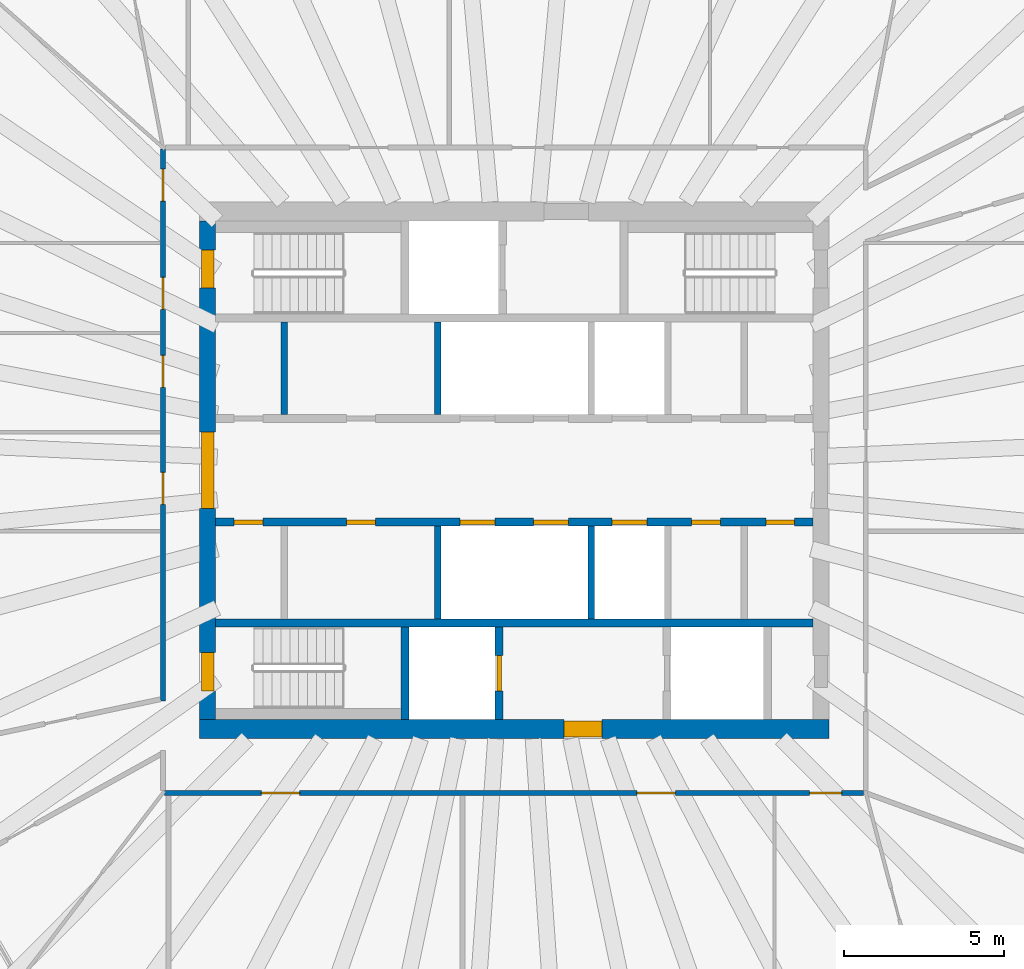
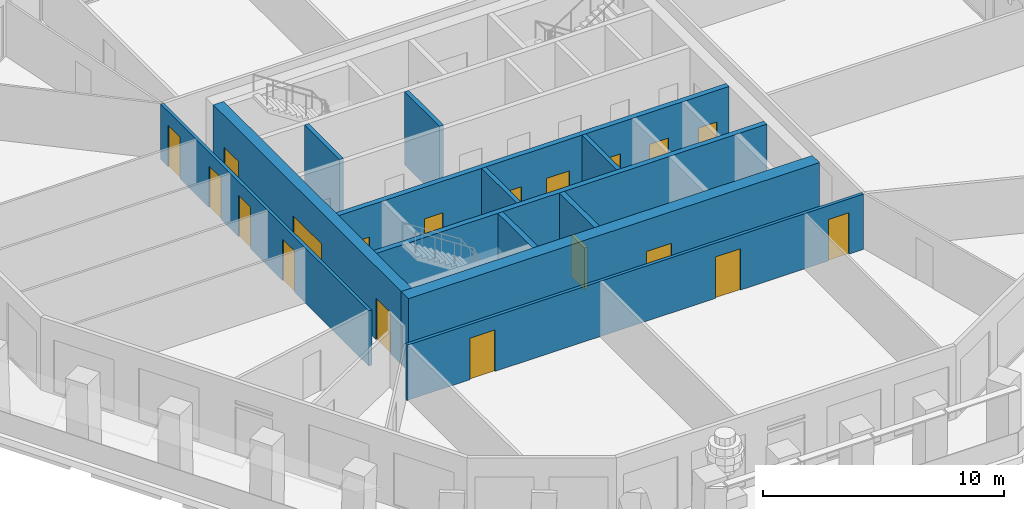
# One storey, part 4 of 12: 19 doors, 12 walls, 19 openings.
"""IFC4 building model written with IfcOpenShell, lengths in metres."""

import ifcopenshell
import ifcopenshell.guid

model = None  # the IFC model being written
_history = None  # IfcOwnerHistory: only IFC2X3 demands one
_inside = {}  # id of a spatial element -> (the spatial element, [elements in it])
_under = {}  # id of a project, library or spatial element -> (it, [spatial elements below it])
_declared = {}  # id of a project -> (the project, [libraries it declares])
_typed = {}  # id of a type object -> (the type object, [elements of that type])
_made_of = {}  # id of a material, layer set ... -> (it, [elements and type objects made of it])


def new_model(schema):
    """Start an empty IFC model of exactly this schema.

    Asked for "IFC4X3", IfcOpenShell would pick the latest addendum, in which some entities
    have other attributes; the version numbers below select the first issue.
    IFC2X3 requires an IfcOwnerHistory on every rooted entity: one is made here for all.
    """
    global model, _history
    if schema == "IFC4X3":
        model = ifcopenshell.file(schema_version=(4, 3, 0, 0))
    else:
        model = ifcopenshell.file(schema=schema)
    _inside.clear()
    _under.clear()
    _declared.clear()
    _typed.clear()
    _made_of.clear()
    _history = None
    if model.schema == "IFC2X3":
        org = make("IfcOrganization", Name="unknown")
        user = make(
            "IfcPersonAndOrganization",
            ThePerson=make("IfcPerson", FamilyName="unknown"),
            TheOrganization=org,
        )
        app = make(
            "IfcApplication",
            ApplicationDeveloper=org,
            Version="unknown",
            ApplicationFullName="unknown",
            ApplicationIdentifier="unknown",
        )
        _history = make(
            "IfcOwnerHistory",
            OwningUser=user,
            OwningApplication=app,
            ChangeAction="ADDED",
            CreationDate=0,
        )
    return model


def make(cls, **values):
    """One entity of the class cls with the attributes given. An attribute that is None is left unset."""
    return model.create_entity(
        cls, **{name: value for name, value in values.items() if value is not None}
    )


def rooted(cls, **values):
    """An entity with a GlobalId (a new one), such as an element, a storey or a relation."""
    return make(cls, GlobalId=ifcopenshell.guid.new(), OwnerHistory=_history, **values)


def si_unit(unit_type, name, prefix=None):
    """IfcSIUnit, for example si_unit("LENGTHUNIT", "METRE", prefix="MILLI")."""
    return make("IfcSIUnit", UnitType=unit_type, Prefix=prefix, Name=name)


def assignment(units):
    """IfcUnitAssignment: the units of a project."""
    return None if units is None else make("IfcUnitAssignment", Units=units)


def point(xyz):
    """IfcCartesianPoint."""
    return None if xyz is None else make("IfcCartesianPoint", Coordinates=xyz)


def direction(xyz):
    """IfcDirection."""
    return None if xyz is None else make("IfcDirection", DirectionRatios=xyz)


def frame(location, z_axis=None, x_axis=None):
    """IfcAxis2Placement3D, a coordinate frame: its origin and axes. An axis left out is left unset."""
    return make(
        "IfcAxis2Placement3D",
        Location=point(location),
        Axis=direction(z_axis),
        RefDirection=direction(x_axis),
    )


def frame_2d(location, x_axis=None):
    """IfcAxis2Placement2D, a coordinate frame in the plane: its origin and x axis."""
    return make(
        "IfcAxis2Placement2D", Location=point(location), RefDirection=direction(x_axis)
    )


def origin():
    """The frame at (0, 0, 0) with its axes left unset."""
    return frame((0.0, 0.0, 0.0))


def place(relative_to, where):
    """IfcLocalPlacement: puts the frame where relative to a parent placement (None: the world)."""
    return make(
        "IfcLocalPlacement", PlacementRelTo=relative_to, RelativePlacement=where
    )


def context(
    kind, dimensions, precision=None, world=None, true_north=None, identifier=None
):
    """IfcGeometricRepresentationContext, for example the 3D "Model" context."""
    return make(
        "IfcGeometricRepresentationContext",
        ContextIdentifier=identifier,
        ContextType=kind,
        CoordinateSpaceDimension=dimensions,
        Precision=precision,
        WorldCoordinateSystem=world,
        TrueNorth=true_north,
    )


def subcontext(parent, identifier, kind, view, scale=None):
    """IfcGeometricRepresentationSubContext, for example "Body" below "Model"."""
    return make(
        "IfcGeometricRepresentationSubContext",
        ContextIdentifier=identifier,
        ContextType=kind,
        ParentContext=parent,
        TargetScale=scale,
        TargetView=view,
    )


def project(units=None, contexts=None):
    """IfcProject with its units and contexts."""
    return rooted(
        "IfcProject",
        Name="project",
        RepresentationContexts=contexts,
        UnitsInContext=assignment(units),
    )


def spatial(cls, under=None, at=None, **own):
    """A site, building, storey or space (cls), placed at a placement, below another one or the project."""
    s = rooted(cls, ObjectPlacement=at, **own)
    if under is not None:
        _under.setdefault(under.id(), (under, []))[1].append(s)
    return s


def profile(cls, at=None, kind="AREA", **sizes):
    """A parametric profile (cls). Its sizes go by their IFC names, for example OverallWidth=200.0."""
    return make(cls, ProfileType=kind, Position=at, **sizes)


def rectangle(**sizes):
    """IfcRectangleProfileDef."""
    return profile("IfcRectangleProfileDef", **sizes)


def extrude(swept, where, along, depth):
    """IfcExtrudedAreaSolid: the profile swept, set in the frame where, extruded along a direction by depth."""
    return make(
        "IfcExtrudedAreaSolid",
        SweptArea=swept,
        Position=where,
        ExtrudedDirection=direction(along),
        Depth=depth,
    )


def shape(context_of_items, identifier, shape_type, items):
    """IfcShapeRepresentation: the items that make up one representation, for example the "Body"."""
    return make(
        "IfcShapeRepresentation",
        ContextOfItems=context_of_items,
        RepresentationIdentifier=identifier,
        RepresentationType=shape_type,
        Items=items,
    )


def material(Name=None, Category=None):
    """IfcMaterial."""
    return make("IfcMaterial", Name=Name, Category=Category)


def layer(
    of_material, thickness, ventilated=None, Name=None, Category=None, Priority=None
):
    """IfcMaterialLayer: one layer of a wall or slab, of a material (None: an air gap)."""
    return make(
        "IfcMaterialLayer",
        Material=of_material,
        LayerThickness=thickness,
        IsVentilated=ventilated,
        Name=Name,
        Category=Category,
        Priority=Priority,
    )


def layer_set(layers, Name=None):
    """IfcMaterialLayerSet."""
    return make("IfcMaterialLayerSet", MaterialLayers=layers, LayerSetName=Name)


def made_of(thing, what):
    """Note that an element or type object is made of a material, layer set ...; save() writes the relation."""
    if what is not None:
        _made_of.setdefault(what.id(), (what, []))[1].append(thing)
    return thing


def type_object(cls, material=None, **own):
    """A type object (cls), such as IfcWallType, which elements share."""
    return made_of(rooted(cls, **own), material)


def element(
    cls,
    number,
    at=None,
    inside=None,
    cuts=None,
    type_object=None,
    material=None,
    context=None,
    identifier="Body",
    shape_type=None,
    held_by="IfcProductDefinitionShape",
    body=None,
    shapes=None,
    **own,
):
    """One element of the class cls, such as IfcWall. Its Tag is "e" and its number.

    at: its placement. inside: the storey or other place that contains it. cuts: it is an
    opening in that element (IfcRelVoidsElement). A single representation is given by context,
    identifier, shape_type and body (its items); several are given by shapes. held_by: the class
    of the entity that holds the representations. save() writes the other relations.
    """
    e = rooted(cls, Tag="e%d" % number, ObjectPlacement=at, **own)
    if body is not None:
        shapes = [shape(context, identifier, shape_type, body)]
    if shapes is not None:
        e.Representation = make(held_by, Representations=shapes)
    if inside is not None:
        _inside.setdefault(inside.id(), (inside, []))[1].append(e)
    if cuts is not None:
        rooted(
            "IfcRelVoidsElement", RelatingBuildingElement=cuts, RelatedOpeningElement=e
        )
    if type_object is not None:
        _typed.setdefault(type_object.id(), (type_object, []))[1].append(e)
    return made_of(e, material)


def fill(opening, filler):
    """IfcRelFillsElement: the door or window that sits in an opening."""
    return rooted(
        "IfcRelFillsElement",
        RelatingOpeningElement=opening,
        RelatedBuildingElement=filler,
    )


def aggregate(whole, parts):
    """IfcRelAggregates: a whole, such as a stair, and the parts it consists of."""
    return rooted("IfcRelAggregates", RelatingObject=whole, RelatedObjects=parts)


def save(model, path):
    """Write the relations noted so far, then the file.

    IfcRelAggregates (storeys below a building ...), IfcRelContainedInSpatialStructure (elements
    in a storey), IfcRelDefinesByType, IfcRelAssociatesMaterial and IfcRelDeclares: one each for
    every whole, place, type object, material and project.
    """
    for whole, parts in _under.values():
        aggregate(whole, parts)
    for where, things in _inside.values():
        rooted(
            "IfcRelContainedInSpatialStructure",
            RelatedElements=things,
            RelatingStructure=where,
        )
    for kind, things in _typed.values():
        rooted("IfcRelDefinesByType", RelatedObjects=things, RelatingType=kind)
    for what, things in _made_of.values():
        rooted("IfcRelAssociatesMaterial", RelatedObjects=things, RelatingMaterial=what)
    for by, libraries in _declared.values():
        rooted("IfcRelDeclares", RelatingContext=by, RelatedDefinitions=libraries)
    model.write(path)


model = new_model("IFC4")

# Units and contexts
model_context = context("Model", 3, precision=1e-05, world=origin(), true_north=direction((0.0, 1.0)))
body_context = subcontext(model_context, "Body", "Model", "MODEL_VIEW")
ifc_project = project(units=[si_unit("LENGTHUNIT", "METRE"), si_unit("AREAUNIT", "SQUARE_METRE"), si_unit("VOLUMEUNIT", "CUBIC_METRE"), si_unit("PLANEANGLEUNIT", "RADIAN"), si_unit("MASSUNIT", "GRAM", prefix="KILO")], contexts=[model_context])

# Site, building, storey
site_placement = place(None, origin())
site = spatial("IfcSite", under=ifc_project, at=site_placement, CompositionType="ELEMENT")
building_placement = place(site_placement, origin())
building = spatial("IfcBuilding", under=site, at=building_placement, Name="Frailejon Research Tower", CompositionType="ELEMENT")
storey_placement = place(building_placement, frame((0.0, 0.0, 249.39990234375)))
storey = spatial("IfcBuildingStorey", under=building, at=storey_placement, Name="L54", CompositionType="ELEMENT", Elevation=249.39990234375)

# Wall, openings, doors
ifc_material_1 = material(Name="Concrete C60/75", Category="concrete")
ifc_layer_1 = layer(ifc_material_1, 0.5)
ifc_layer_set_1 = layer_set([ifc_layer_1], Name="Core shear wall 500 C60/75")
wall_type_1 = type_object("IfcWallType", Name="Core shear wall 500 C60/75", PredefinedType="SHEAR", material=ifc_layer_set_1)
wall_1_placement = place(storey_placement, frame((-9.60009765625, -7.800048828125, 0.0), z_axis=(0.0, 0.0, 1.0), x_axis=(0.0, 1.0, 0.0)))
wall_1 = element("IfcWall", 1, at=wall_1_placement, inside=storey, type_object=wall_type_1, Name="Core shear wall", PredefinedType="SHEAR", context=body_context, shape_type="SweptSolid", body=[
    extrude(rectangle(XDim=15.60009765625, YDim=0.5, at=frame_2d((7.800048828125, 0.0))), origin(), (0.0, 0.0, 1.0), 3.7001953125),
])
opening_1_placement = place(wall_1_placement, frame((6.60009765625, 0.0, 0.0)))
opening_1 = element("IfcOpeningElement", 2, at=opening_1_placement, cuts=wall_1, Name="Opening D2", PredefinedType="OPENING", context=body_context, shape_type="SweptSolid", body=[
    extrude(rectangle(XDim=2.39990234375, YDim=2.10009765625, at=frame_2d((1.199951171875, 1.050048828125))), frame((0.0, 0.260009765625, 0.0), z_axis=(0.0, -1.0, 0.0), x_axis=(1.0, 0.0, 0.0)), (0.0, 0.0, 1.0), 0.52001953125),
])
opening_2_placement = place(wall_1_placement, frame((13.5, 0.0, 0.0)))
opening_2 = element("IfcOpeningElement", 3, at=opening_2_placement, cuts=wall_1, Name="Opening D1", PredefinedType="OPENING", context=body_context, shape_type="SweptSolid", body=[
    extrude(rectangle(XDim=1.199951171875, YDim=2.10009765625, at=frame_2d((0.60009765625, 1.050048828125))), frame((0.0, 0.260009765625, 0.0), z_axis=(0.0, -1.0, 0.0), x_axis=(1.0, 0.0, 0.0)), (0.0, 0.0, 1.0), 0.52001953125),
])
opening_3_placement = place(wall_1_placement, frame((0.89990234375, 0.0, 0.0)))
opening_3 = element("IfcOpeningElement", 4, at=opening_3_placement, cuts=wall_1, Name="Opening D1", PredefinedType="OPENING", context=body_context, shape_type="SweptSolid", body=[
    extrude(rectangle(XDim=1.199951171875, YDim=2.10009765625, at=frame_2d((0.60009765625, 1.050048828125))), frame((0.0, 0.260009765625, 0.0), z_axis=(0.0, -1.0, 0.0), x_axis=(1.0, 0.0, 0.0)), (0.0, 0.0, 1.0), 0.52001953125),
])
ifc_material_2 = material(Name="Steel", Category="steel")
door_type_1 = type_object("IfcDoorType", Name="Lobby double door", OperationType="DOUBLE_DOOR_SINGLE_SWING", PredefinedType="DOOR", material=ifc_material_2)
door_1_placement = place(opening_1_placement, origin())
door_1 = element("IfcDoor", 5, at=door_1_placement, inside=storey, type_object=door_type_1, Name="Lobby door", OperationType="DOUBLE_DOOR_SINGLE_SWING", OverallHeight=2.10009765625, OverallWidth=2.39990234375, PredefinedType="DOOR", context=body_context, shape_type="SweptSolid", body=[
    extrude(rectangle(XDim=2.39990234375, YDim=2.10009765625, at=frame_2d((1.199951171875, 1.050048828125))), frame((0.0, 0.199951171875, 0.0), z_axis=(0.0, -1.0, 0.0), x_axis=(1.0, 0.0, 0.0)), (0.0, 0.0, 1.0), 0.39990234375),
])
fill(opening_1, door_1)
ifc_material_3 = material(Name="Steel", Category="steel")
door_type_2 = type_object("IfcDoorType", Name="Stair door", OperationType="SINGLE_SWING_LEFT", PredefinedType="DOOR", material=ifc_material_3)
door_2_placement = place(opening_2_placement, origin())
door_2 = element("IfcDoor", 6, at=door_2_placement, inside=storey, type_object=door_type_2, Name="Stair door ST1", OperationType="SINGLE_SWING_RIGHT", OverallHeight=2.10009765625, OverallWidth=1.199951171875, PredefinedType="DOOR", context=body_context, shape_type="SweptSolid", body=[
    extrude(rectangle(XDim=1.199951171875, YDim=2.10009765625, at=frame_2d((0.60009765625, 1.050048828125))), frame((0.0, 0.199951171875, 0.0), z_axis=(0.0, -1.0, 0.0), x_axis=(1.0, 0.0, 0.0)), (0.0, 0.0, 1.0), 0.39990234375),
])
fill(opening_2, door_2)
door_3_placement = place(opening_3_placement, origin())
door_3 = element("IfcDoor", 7, at=door_3_placement, inside=storey, type_object=door_type_2, Name="Stair door ST2", OperationType="SINGLE_SWING_LEFT", OverallHeight=2.10009765625, OverallWidth=1.199951171875, PredefinedType="DOOR", context=body_context, shape_type="SweptSolid", body=[
    extrude(rectangle(XDim=1.199951171875, YDim=2.10009765625, at=frame_2d((0.60009765625, 1.050048828125))), frame((0.0, 0.199951171875, 0.0), z_axis=(0.0, -1.0, 0.0), x_axis=(1.0, 0.0, 0.0)), (0.0, 0.0, 1.0), 0.39990234375),
])
fill(opening_3, door_3)

# Wall, opening, door
ifc_material_4 = material(Name="Concrete C60/75", Category="concrete")
ifc_layer_2 = layer(ifc_material_4, 0.60009765625)
ifc_layer_set_2 = layer_set([ifc_layer_2], Name="Core shear wall 600 C60/75")
wall_type_2 = type_object("IfcWallType", Name="Core shear wall 600 C60/75", PredefinedType="SHEAR", material=ifc_layer_set_2)
wall_2_placement = place(storey_placement, frame((-9.85009765625, -8.10009765625, 0.0), z_axis=(0.0, 0.0, 1.0), x_axis=(1.0, 0.0, 0.0)))
wall_2 = element("IfcWall", 8, at=wall_2_placement, inside=storey, type_object=wall_type_2, Name="Core shear wall", PredefinedType="SHEAR", context=body_context, shape_type="SweptSolid", body=[
    extrude(rectangle(XDim=19.7001953125, YDim=0.60009765625, at=frame_2d((9.85009765625, 0.0))), origin(), (0.0, 0.0, 1.0), 3.7001953125),
])
opening_4_placement = place(wall_2_placement, frame((11.39990234375, 0.0, 0.0)))
opening_4 = element("IfcOpeningElement", 9, at=opening_4_placement, cuts=wall_2, Name="Opening D3", PredefinedType="OPENING", context=body_context, shape_type="SweptSolid", body=[
    extrude(rectangle(XDim=1.199951171875, YDim=2.10009765625, at=frame_2d((0.60009765625, 1.050048828125))), frame((0.0, 0.31005859375, 0.0), z_axis=(0.0, -1.0, 0.0), x_axis=(1.0, 0.0, 0.0)), (0.0, 0.0, 1.0), 0.6201171875),
])
ifc_material_5 = material(Name="Steel", Category="steel")
door_type_3 = type_object("IfcDoorType", Name="Firefighting lobby door", OperationType="SINGLE_SWING_LEFT", PredefinedType="DOOR", material=ifc_material_5)
door_4_placement = place(opening_4_placement, origin())
door_4 = element("IfcDoor", 10, at=door_4_placement, inside=storey, type_object=door_type_3, Name="Firefighting lobby door", OperationType="SINGLE_SWING_LEFT", OverallHeight=2.10009765625, OverallWidth=1.199951171875, PredefinedType="DOOR", context=body_context, shape_type="SweptSolid", body=[
    extrude(rectangle(XDim=1.199951171875, YDim=2.10009765625, at=frame_2d((0.60009765625, 1.050048828125))), frame((0.0, 0.25, 0.0), z_axis=(0.0, -1.0, 0.0), x_axis=(1.0, 0.0, 0.0)), (0.0, 0.0, 1.0), 0.5),
])
fill(opening_4, door_4)

# Wall, openings, doors
ifc_material_6 = material(Name="Gypsum board and masonry partition", Category="masonry")
ifc_layer_3 = layer(ifc_material_6, 0.14990234375)
ifc_layer_set_3 = layer_set([ifc_layer_3], Name="Corridor wall EI 60, gypsum on steel studs 150")
wall_type_3 = type_object("IfcWallType", Name="Corridor wall EI 60, gypsum on steel studs 150", PredefinedType="PARTITIONING", material=ifc_layer_set_3)
wall_3_placement = place(storey_placement, frame((-11.0, -7.22509765625, 0.0), z_axis=(0.0, 0.0, 1.0), x_axis=(0.0, 1.0, 0.0)))
wall_3 = element("IfcWall", 11, at=wall_3_placement, inside=storey, type_object=wall_type_3, Name="T:IW:L54:009", PredefinedType="PARTITIONING", context=body_context, shape_type="SweptSolid", body=[
    extrude(rectangle(XDim=17.275146484375, YDim=0.14990234375, at=frame_2d((8.6376953125, 0.0))), origin(), (0.0, 0.0, 1.0), 2.800048828125),
])
opening_5_placement = place(wall_3_placement, frame((15.654296875, 0.0, 0.0)))
opening_5 = element("IfcOpeningElement", 12, at=opening_5_placement, cuts=wall_3, Name="Opening D2059", PredefinedType="OPENING", context=body_context, shape_type="SweptSolid", body=[
    extrude(rectangle(XDim=1.0, YDim=2.10009765625, at=frame_2d((0.5, 1.050048828125))), frame((0.0, 0.0849609375, 0.0), z_axis=(0.0, -1.0, 0.0), x_axis=(1.0, 0.0, 0.0)), (0.0, 0.0, 1.0), 0.169921875),
])
opening_6_placement = place(wall_3_placement, frame((12.264404296875, 0.0, 0.0)))
opening_6 = element("IfcOpeningElement", 13, at=opening_6_placement, cuts=wall_3, Name="Opening D2060", PredefinedType="OPENING", context=body_context, shape_type="SweptSolid", body=[
    extrude(rectangle(XDim=1.0, YDim=2.10009765625, at=frame_2d((0.5, 1.050048828125))), frame((0.0, 0.0849609375, 0.0), z_axis=(0.0, -1.0, 0.0), x_axis=(1.0, 0.0, 0.0)), (0.0, 0.0, 1.0), 0.169921875),
])
opening_7_placement = place(wall_3_placement, frame((9.821533203125, 0.0, 0.0)))
opening_7 = element("IfcOpeningElement", 14, at=opening_7_placement, cuts=wall_3, Name="Opening D2061", PredefinedType="OPENING", context=body_context, shape_type="SweptSolid", body=[
    extrude(rectangle(XDim=1.0, YDim=2.10009765625, at=frame_2d((0.5, 1.050048828125))), frame((0.0, 0.0849609375, 0.0), z_axis=(0.0, -1.0, 0.0), x_axis=(1.0, 0.0, 0.0)), (0.0, 0.0, 1.0), 0.169921875),
])
opening_8_placement = place(wall_3_placement, frame((6.156982421875, 0.0, 0.0)))
opening_8 = element("IfcOpeningElement", 15, at=opening_8_placement, cuts=wall_3, Name="Opening D2062", PredefinedType="OPENING", context=body_context, shape_type="SweptSolid", body=[
    extrude(rectangle(XDim=1.0, YDim=2.10009765625, at=frame_2d((0.5, 1.050048828125))), frame((0.0, 0.0849609375, 0.0), z_axis=(0.0, -1.0, 0.0), x_axis=(1.0, 0.0, 0.0)), (0.0, 0.0, 1.0), 0.169921875),
])
ifc_material_7 = material(Name="Timber door leaf", Category="wood")
door_type_4 = type_object("IfcDoorType", Name="Door single leaf, timber, steel frame 1000", OperationType="NOTDEFINED", PredefinedType="DOOR", material=ifc_material_7)
door_5_placement = place(opening_5_placement, origin())
door_5 = element("IfcDoor", 16, at=door_5_placement, inside=storey, type_object=door_type_4, Name="D2059", OperationType="SINGLE_SWING_RIGHT", OverallHeight=2.10009765625, OverallWidth=1.0, PredefinedType="DOOR", context=body_context, shape_type="SweptSolid", body=[
    extrude(rectangle(XDim=1.0, YDim=2.10009765625, at=frame_2d((0.5, 1.050048828125))), frame((0.0, 0.02490234375, 0.0), z_axis=(0.0, -1.0, 0.0), x_axis=(1.0, 0.0, 0.0)), (0.0, 0.0, 1.0), 0.050048828125),
])
fill(opening_5, door_5)
door_6_placement = place(opening_6_placement, origin())
door_6 = element("IfcDoor", 17, at=door_6_placement, inside=storey, type_object=door_type_4, Name="D2060", OperationType="SINGLE_SWING_RIGHT", OverallHeight=2.10009765625, OverallWidth=1.0, PredefinedType="DOOR", context=body_context, shape_type="SweptSolid", body=[
    extrude(rectangle(XDim=1.0, YDim=2.10009765625, at=frame_2d((0.5, 1.050048828125))), frame((0.0, 0.02490234375, 0.0), z_axis=(0.0, -1.0, 0.0), x_axis=(1.0, 0.0, 0.0)), (0.0, 0.0, 1.0), 0.050048828125),
])
fill(opening_6, door_6)
door_7_placement = place(opening_7_placement, origin())
door_7 = element("IfcDoor", 18, at=door_7_placement, inside=storey, type_object=door_type_4, Name="D2061", OperationType="SINGLE_SWING_RIGHT", OverallHeight=2.10009765625, OverallWidth=1.0, PredefinedType="DOOR", context=body_context, shape_type="SweptSolid", body=[
    extrude(rectangle(XDim=1.0, YDim=2.10009765625, at=frame_2d((0.5, 1.050048828125))), frame((0.0, 0.02490234375, 0.0), z_axis=(0.0, -1.0, 0.0), x_axis=(1.0, 0.0, 0.0)), (0.0, 0.0, 1.0), 0.050048828125),
])
fill(opening_7, door_7)
door_8_placement = place(opening_8_placement, origin())
door_8 = element("IfcDoor", 19, at=door_8_placement, inside=storey, type_object=door_type_4, Name="D2062", OperationType="SINGLE_SWING_RIGHT", OverallHeight=2.10009765625, OverallWidth=1.0, PredefinedType="DOOR", context=body_context, shape_type="SweptSolid", body=[
    extrude(rectangle(XDim=1.0, YDim=2.10009765625, at=frame_2d((0.5, 1.050048828125))), frame((0.0, 0.02490234375, 0.0), z_axis=(0.0, -1.0, 0.0), x_axis=(1.0, 0.0, 0.0)), (0.0, 0.0, 1.0), 0.050048828125),
])
fill(opening_8, door_8)

wall_4_placement = place(storey_placement, frame((-10.949951171875, -10.10009765625, 0.0), z_axis=(0.0, 0.0, 1.0), x_axis=(1.0, 0.0, 0.0)))
wall_4 = element("IfcWall", 20, at=wall_4_placement, inside=storey, type_object=wall_type_3, Name="T:IW:L54:010", PredefinedType="PARTITIONING", context=body_context, shape_type="SweptSolid", body=[
    extrude(rectangle(XDim=21.875, YDim=0.14990234375, at=frame_2d((10.9375, 0.0))), origin(), (0.0, 0.0, 1.0), 2.800048828125),
])
opening_9_placement = place(wall_4_placement, frame((3.027099609375, 0.0, 0.0)))
opening_9 = element("IfcOpeningElement", 21, at=opening_9_placement, cuts=wall_4, Name="Opening D2066", PredefinedType="OPENING", context=body_context, shape_type="SweptSolid", body=[
    extrude(rectangle(XDim=1.199951171875, YDim=2.10009765625, at=frame_2d((0.60009765625, 1.050048828125))), frame((0.0, 0.0849609375, 0.0), z_axis=(0.0, -1.0, 0.0), x_axis=(1.0, 0.0, 0.0)), (0.0, 0.0, 1.0), 0.169921875),
])
opening_10_placement = place(wall_4_placement, frame((14.786376953125, 0.0, 0.0)))
opening_10 = element("IfcOpeningElement", 22, at=opening_10_placement, cuts=wall_4, Name="Opening D2067", PredefinedType="OPENING", context=body_context, shape_type="SweptSolid", body=[
    extrude(rectangle(XDim=1.199951171875, YDim=2.10009765625, at=frame_2d((0.60009765625, 1.050048828125))), frame((0.0, 0.0849609375, 0.0), z_axis=(0.0, -1.0, 0.0), x_axis=(1.0, 0.0, 0.0)), (0.0, 0.0, 1.0), 0.169921875),
])
opening_11_placement = place(wall_4_placement, frame((20.194091796875, 0.0, 0.0)))
opening_11 = element("IfcOpeningElement", 23, at=opening_11_placement, cuts=wall_4, Name="Opening D2068", PredefinedType="OPENING", context=body_context, shape_type="SweptSolid", body=[
    extrude(rectangle(XDim=1.0, YDim=2.10009765625, at=frame_2d((0.5, 1.050048828125))), frame((0.0, 0.0849609375, 0.0), z_axis=(0.0, -1.0, 0.0), x_axis=(1.0, 0.0, 0.0)), (0.0, 0.0, 1.0), 0.169921875),
])
ifc_material_8 = material(Name="Timber door leaf", Category="wood")
door_type_5 = type_object("IfcDoorType", Name="Door laboratory, timber, vision panel 1200", OperationType="NOTDEFINED", PredefinedType="DOOR", material=ifc_material_8)
door_9_placement = place(opening_9_placement, origin())
door_9 = element("IfcDoor", 24, at=door_9_placement, inside=storey, type_object=door_type_5, Name="D2066", OperationType="DOUBLE_DOOR_SINGLE_SWING", OverallHeight=2.10009765625, OverallWidth=1.199951171875, PredefinedType="DOOR", context=body_context, shape_type="SweptSolid", body=[
    extrude(rectangle(XDim=1.199951171875, YDim=2.10009765625, at=frame_2d((0.60009765625, 1.050048828125))), frame((0.0, 0.02490234375, 0.0), z_axis=(0.0, -1.0, 0.0), x_axis=(1.0, 0.0, 0.0)), (0.0, 0.0, 1.0), 0.050048828125),
])
fill(opening_9, door_9)
door_10_placement = place(opening_11_placement, origin())
door_10 = element("IfcDoor", 25, at=door_10_placement, inside=storey, type_object=door_type_4, Name="D2068", OperationType="SINGLE_SWING_LEFT", OverallHeight=2.10009765625, OverallWidth=1.0, PredefinedType="DOOR", context=body_context, shape_type="SweptSolid", body=[
    extrude(rectangle(XDim=1.0, YDim=2.10009765625, at=frame_2d((0.5, 1.050048828125))), frame((0.0, 0.02490234375, 0.0), z_axis=(0.0, -1.0, 0.0), x_axis=(1.0, 0.0, 0.0)), (0.0, 0.0, 1.0), 0.050048828125),
])
fill(opening_11, door_10)
ifc_material_9 = material(Name="Timber door leaf", Category="wood")
door_type_6 = type_object("IfcDoorType", Name="Door single leaf, timber, steel frame 1200", OperationType="NOTDEFINED", PredefinedType="DOOR", material=ifc_material_9)
door_11_placement = place(opening_10_placement, origin())
door_11 = element("IfcDoor", 26, at=door_11_placement, inside=storey, type_object=door_type_6, Name="D2067", OperationType="DOUBLE_DOOR_SINGLE_SWING", OverallHeight=2.10009765625, OverallWidth=1.199951171875, PredefinedType="DOOR", context=body_context, shape_type="SweptSolid", body=[
    extrude(rectangle(XDim=1.199951171875, YDim=2.10009765625, at=frame_2d((0.60009765625, 1.050048828125))), frame((0.0, 0.02490234375, 0.0), z_axis=(0.0, -1.0, 0.0), x_axis=(1.0, 0.0, 0.0)), (0.0, 0.0, 1.0), 0.050048828125),
])
fill(opening_10, door_11)

# Walls
ifc_material_10 = material(Name="Concrete C60/75", Category="concrete")
ifc_layer_4 = layer(ifc_material_10, 0.199951171875)
ifc_layer_set_4 = layer_set([ifc_layer_4], Name="Shaft wall 200 C60/75")
wall_type_4 = type_object("IfcWallType", Name="Shaft wall 200 C60/75", PredefinedType="SOLIDWALL", material=ifc_layer_set_4)
for number, where, z_axis, x_axis, name in (
    (27, (-7.199951171875, 1.75, 0.0), (0.0, 0.0, 1.0), (0.0, 1.0, 0.0), "Shaft wall"),
    (28, (-2.39990234375, 1.75, 0.0), (0.0, 0.0, 1.0), (0.0, 1.0, 0.0), "Shaft wall"),
    (29, (-2.39990234375, -4.64990234375, 0.0), (0.0, 0.0, 1.0), (0.0, 1.0, 0.0), "Shaft wall"),
    (30, (2.39990234375, -4.64990234375, 0.0), (0.0, 0.0, 1.0), (0.0, 1.0, 0.0), "Shaft wall"),
):
    element("IfcWall", number, at=place(storey_placement, frame(where, z_axis=z_axis, x_axis=x_axis)), inside=storey, type_object=wall_type_4, Name=name, PredefinedType="SOLIDWALL", context=body_context, shape_type="SweptSolid", body=[
        extrude(rectangle(XDim=2.89990234375, YDim=0.199951171875, at=frame_2d((1.449951171875, 0.0))), origin(), (0.0, 0.0, 1.0), 3.7001953125),
    ])

# Wall, openings, doors
ifc_material_11 = material(Name="Concrete C60/75", Category="concrete")
ifc_layer_5 = layer(ifc_material_11, 0.25)
ifc_layer_set_5 = layer_set([ifc_layer_5], Name="Shaft wall 250 C60/75")
wall_type_5 = type_object("IfcWallType", Name="Shaft wall 250 C60/75", PredefinedType="SOLIDWALL", material=ifc_layer_set_5)
wall_5_placement = place(storey_placement, frame((-9.35009765625, -1.625, 0.0), z_axis=(0.0, 0.0, 1.0), x_axis=(1.0, 0.0, 0.0)))
wall_5 = element("IfcWall", 31, at=wall_5_placement, inside=storey, type_object=wall_type_5, Name="Shaft wall", PredefinedType="SOLIDWALL", context=body_context, shape_type="SweptSolid", body=[
    extrude(rectangle(XDim=18.7001953125, YDim=0.25, at=frame_2d((9.35009765625, 0.0))), origin(), (0.0, 0.0, 1.0), 3.7001953125),
])
opening_12_placement = place(wall_5_placement, frame((7.64990234375, 0.0, 0.0)))
opening_12 = element("IfcOpeningElement", 32, at=opening_12_placement, cuts=wall_5, Name="Opening LD", PredefinedType="OPENING", context=body_context, shape_type="SweptSolid", body=[
    extrude(rectangle(XDim=1.10009765625, YDim=2.10009765625, at=frame_2d((0.550048828125, 1.050048828125))), frame((0.0, 0.135009765625, 0.0), z_axis=(0.0, -1.0, 0.0), x_axis=(1.0, 0.0, 0.0)), (0.0, 0.0, 1.0), 0.27001953125),
])
opening_13_placement = place(wall_5_placement, frame((9.949951171875, 0.0, 0.0)))
opening_13 = element("IfcOpeningElement", 33, at=opening_13_placement, cuts=wall_5, Name="Opening LD", PredefinedType="OPENING", context=body_context, shape_type="SweptSolid", body=[
    extrude(rectangle(XDim=1.10009765625, YDim=2.10009765625, at=frame_2d((0.550048828125, 1.050048828125))), frame((0.0, 0.135009765625, 0.0), z_axis=(0.0, -1.0, 0.0), x_axis=(1.0, 0.0, 0.0)), (0.0, 0.0, 1.0), 0.27001953125),
])
opening_14_placement = place(wall_5_placement, frame((12.39990234375, 0.0, 0.0)))
opening_14 = element("IfcOpeningElement", 34, at=opening_14_placement, cuts=wall_5, Name="Opening LD", PredefinedType="OPENING", context=body_context, shape_type="SweptSolid", body=[
    extrude(rectangle(XDim=1.10009765625, YDim=2.10009765625, at=frame_2d((0.550048828125, 1.050048828125))), frame((0.0, 0.135009765625, 0.0), z_axis=(0.0, -1.0, 0.0), x_axis=(1.0, 0.0, 0.0)), (0.0, 0.0, 1.0), 0.27001953125),
])
opening_15_placement = place(wall_5_placement, frame((0.574951171875, 0.0, 0.0)))
opening_15 = element("IfcOpeningElement", 35, at=opening_15_placement, cuts=wall_5, Name="Opening D8", PredefinedType="OPENING", context=body_context, shape_type="SweptSolid", body=[
    extrude(rectangle(XDim=0.89990234375, YDim=2.10009765625, at=frame_2d((0.449951171875, 1.050048828125))), frame((0.0, 0.135009765625, 0.0), z_axis=(0.0, -1.0, 0.0), x_axis=(1.0, 0.0, 0.0)), (0.0, 0.0, 1.0), 0.27001953125),
])
opening_16_placement = place(wall_5_placement, frame((4.10009765625, 0.0, 0.0)))
opening_16 = element("IfcOpeningElement", 36, at=opening_16_placement, cuts=wall_5, Name="Opening D8", PredefinedType="OPENING", context=body_context, shape_type="SweptSolid", body=[
    extrude(rectangle(XDim=0.89990234375, YDim=2.10009765625, at=frame_2d((0.449951171875, 1.050048828125))), frame((0.0, 0.135009765625, 0.0), z_axis=(0.0, -1.0, 0.0), x_axis=(1.0, 0.0, 0.0)), (0.0, 0.0, 1.0), 0.27001953125),
])
opening_17_placement = place(wall_5_placement, frame((14.89990234375, 0.0, 0.0)))
opening_17 = element("IfcOpeningElement", 37, at=opening_17_placement, cuts=wall_5, Name="Opening D8", PredefinedType="OPENING", context=body_context, shape_type="SweptSolid", body=[
    extrude(rectangle(XDim=0.89990234375, YDim=2.10009765625, at=frame_2d((0.449951171875, 1.050048828125))), frame((0.0, 0.135009765625, 0.0), z_axis=(0.0, -1.0, 0.0), x_axis=(1.0, 0.0, 0.0)), (0.0, 0.0, 1.0), 0.27001953125),
])
opening_18_placement = place(wall_5_placement, frame((17.22509765625, 0.0, 0.0)))
opening_18 = element("IfcOpeningElement", 38, at=opening_18_placement, cuts=wall_5, Name="Opening D8", PredefinedType="OPENING", context=body_context, shape_type="SweptSolid", body=[
    extrude(rectangle(XDim=0.89990234375, YDim=2.10009765625, at=frame_2d((0.449951171875, 1.050048828125))), frame((0.0, 0.135009765625, 0.0), z_axis=(0.0, -1.0, 0.0), x_axis=(1.0, 0.0, 0.0)), (0.0, 0.0, 1.0), 0.27001953125),
])
ifc_material_12 = material(Name="Steel", Category="steel")
door_type_7 = type_object("IfcDoorType", Name="Core room door", OperationType="SINGLE_SWING_LEFT", PredefinedType="DOOR", material=ifc_material_12)
door_12_placement = place(opening_15_placement, origin())
door_12 = element("IfcDoor", 39, at=door_12_placement, inside=storey, type_object=door_type_7, Name="Room door", OperationType="SINGLE_SWING_RIGHT", OverallHeight=2.10009765625, OverallWidth=0.89990234375, PredefinedType="DOOR", context=body_context, shape_type="SweptSolid", body=[
    extrude(rectangle(XDim=0.89990234375, YDim=2.10009765625, at=frame_2d((0.449951171875, 1.050048828125))), frame((0.0, 0.074951171875, 0.0), z_axis=(0.0, -1.0, 0.0), x_axis=(1.0, 0.0, 0.0)), (0.0, 0.0, 1.0), 0.14990234375),
])
fill(opening_15, door_12)
door_13_placement = place(opening_16_placement, origin())
door_13 = element("IfcDoor", 40, at=door_13_placement, inside=storey, type_object=door_type_7, Name="Room door", OperationType="SINGLE_SWING_LEFT", OverallHeight=2.10009765625, OverallWidth=0.89990234375, PredefinedType="DOOR", context=body_context, shape_type="SweptSolid", body=[
    extrude(rectangle(XDim=0.89990234375, YDim=2.10009765625, at=frame_2d((0.449951171875, 1.050048828125))), frame((0.0, 0.074951171875, 0.0), z_axis=(0.0, -1.0, 0.0), x_axis=(1.0, 0.0, 0.0)), (0.0, 0.0, 1.0), 0.14990234375),
])
fill(opening_16, door_13)
door_14_placement = place(opening_17_placement, origin())
door_14 = element("IfcDoor", 41, at=door_14_placement, inside=storey, type_object=door_type_7, Name="Room door", OperationType="SINGLE_SWING_RIGHT", OverallHeight=2.10009765625, OverallWidth=0.89990234375, PredefinedType="DOOR", context=body_context, shape_type="SweptSolid", body=[
    extrude(rectangle(XDim=0.89990234375, YDim=2.10009765625, at=frame_2d((0.449951171875, 1.050048828125))), frame((0.0, 0.074951171875, 0.0), z_axis=(0.0, -1.0, 0.0), x_axis=(1.0, 0.0, 0.0)), (0.0, 0.0, 1.0), 0.14990234375),
])
fill(opening_17, door_14)
door_15_placement = place(opening_18_placement, origin())
door_15 = element("IfcDoor", 42, at=door_15_placement, inside=storey, type_object=door_type_7, Name="Room door", OperationType="SINGLE_SWING_LEFT", OverallHeight=2.10009765625, OverallWidth=0.89990234375, PredefinedType="DOOR", context=body_context, shape_type="SweptSolid", body=[
    extrude(rectangle(XDim=0.89990234375, YDim=2.10009765625, at=frame_2d((0.449951171875, 1.050048828125))), frame((0.0, 0.074951171875, 0.0), z_axis=(0.0, -1.0, 0.0), x_axis=(1.0, 0.0, 0.0)), (0.0, 0.0, 1.0), 0.14990234375),
])
fill(opening_18, door_15)
ifc_material_13 = material(Name="Steel", Category="steel")
door_type_8 = type_object("IfcDoorType", Name="Lift landing door", OperationType="DOUBLE_DOOR_SLIDING", PredefinedType="DOOR", material=ifc_material_13)
door_16_placement = place(opening_12_placement, origin())
door_16 = element("IfcDoor", 43, at=door_16_placement, inside=storey, type_object=door_type_8, Name="Lift landing door", OperationType="DOUBLE_DOOR_SLIDING", OverallHeight=2.10009765625, OverallWidth=1.10009765625, PredefinedType="DOOR", context=body_context, shape_type="SweptSolid", body=[
    extrude(rectangle(XDim=1.10009765625, YDim=2.10009765625, at=frame_2d((0.550048828125, 1.050048828125))), frame((0.0, 0.074951171875, 0.0), z_axis=(0.0, -1.0, 0.0), x_axis=(1.0, 0.0, 0.0)), (0.0, 0.0, 1.0), 0.14990234375),
])
fill(opening_12, door_16)
door_17_placement = place(opening_13_placement, origin())
door_17 = element("IfcDoor", 44, at=door_17_placement, inside=storey, type_object=door_type_8, Name="Lift landing door", OperationType="DOUBLE_DOOR_SLIDING", OverallHeight=2.10009765625, OverallWidth=1.10009765625, PredefinedType="DOOR", context=body_context, shape_type="SweptSolid", body=[
    extrude(rectangle(XDim=1.10009765625, YDim=2.10009765625, at=frame_2d((0.550048828125, 1.050048828125))), frame((0.0, 0.074951171875, 0.0), z_axis=(0.0, -1.0, 0.0), x_axis=(1.0, 0.0, 0.0)), (0.0, 0.0, 1.0), 0.14990234375),
])
fill(opening_13, door_17)
door_18_placement = place(opening_14_placement, origin())
door_18 = element("IfcDoor", 45, at=door_18_placement, inside=storey, type_object=door_type_8, Name="Lift landing door", OperationType="DOUBLE_DOOR_SLIDING", OverallHeight=2.10009765625, OverallWidth=1.10009765625, PredefinedType="DOOR", context=body_context, shape_type="SweptSolid", body=[
    extrude(rectangle(XDim=1.10009765625, YDim=2.10009765625, at=frame_2d((0.550048828125, 1.050048828125))), frame((0.0, 0.074951171875, 0.0), z_axis=(0.0, -1.0, 0.0), x_axis=(1.0, 0.0, 0.0)), (0.0, 0.0, 1.0), 0.14990234375),
])
fill(opening_14, door_18)

# Walls
wall_6_placement = place(storey_placement, frame((-9.35009765625, -4.77490234375, 0.0), z_axis=(0.0, 0.0, 1.0), x_axis=(1.0, 0.0, 0.0)))
element("IfcWall", 46, at=wall_6_placement, inside=storey, type_object=wall_type_5, Name="Shaft wall", PredefinedType="SOLIDWALL", context=body_context, shape_type="SweptSolid", body=[
    extrude(rectangle(XDim=18.7001953125, YDim=0.25, at=frame_2d((9.35009765625, 0.0))), origin(), (0.0, 0.0, 1.0), 3.7001953125),
])
wall_7_placement = place(storey_placement, frame((-3.425048828125, -7.800048828125, 0.0), z_axis=(0.0, 0.0, 1.0), x_axis=(0.0, 1.0, 0.0)))
element("IfcWall", 47, at=wall_7_placement, inside=storey, type_object=wall_type_5, Name="Shaft wall", PredefinedType="SOLIDWALL", context=body_context, shape_type="SweptSolid", body=[
    extrude(rectangle(XDim=2.900146484375, YDim=0.25, at=frame_2d((1.4501953125, 0.0))), origin(), (0.0, 0.0, 1.0), 3.7001953125),
])

# Wall, opening, door
wall_8_placement = place(storey_placement, frame((-0.47509765625, -7.800048828125, 0.0), z_axis=(0.0, 0.0, 1.0), x_axis=(0.0, 1.0, 0.0)))
wall_8 = element("IfcWall", 48, at=wall_8_placement, inside=storey, type_object=wall_type_5, Name="Shaft wall", PredefinedType="SOLIDWALL", context=body_context, shape_type="SweptSolid", body=[
    extrude(rectangle(XDim=2.900146484375, YDim=0.25, at=frame_2d((1.4501953125, 0.0))), origin(), (0.0, 0.0, 1.0), 3.7001953125),
])
opening_19_placement = place(wall_8_placement, frame((0.89990234375, 0.0, 0.0)))
opening_19 = element("IfcOpeningElement", 49, at=opening_19_placement, cuts=wall_8, Name="Opening LD", PredefinedType="OPENING", context=body_context, shape_type="SweptSolid", body=[
    extrude(rectangle(XDim=1.10009765625, YDim=2.10009765625, at=frame_2d((0.550048828125, 1.050048828125))), frame((0.0, 0.135009765625, 0.0), z_axis=(0.0, -1.0, 0.0), x_axis=(1.0, 0.0, 0.0)), (0.0, 0.0, 1.0), 0.27001953125),
])
door_19_placement = place(opening_19_placement, origin())
door_19 = element("IfcDoor", 50, at=door_19_placement, inside=storey, type_object=door_type_8, Name="Lift landing door", OperationType="DOUBLE_DOOR_SLIDING", OverallHeight=2.10009765625, OverallWidth=1.10009765625, PredefinedType="DOOR", context=body_context, shape_type="SweptSolid", body=[
    extrude(rectangle(XDim=1.10009765625, YDim=2.10009765625, at=frame_2d((0.550048828125, 1.050048828125))), frame((0.0, 0.074951171875, 0.0), z_axis=(0.0, -1.0, 0.0), x_axis=(1.0, 0.0, 0.0)), (0.0, 0.0, 1.0), 0.14990234375),
])
fill(opening_19, door_19)

save(model, "model.ifc")
